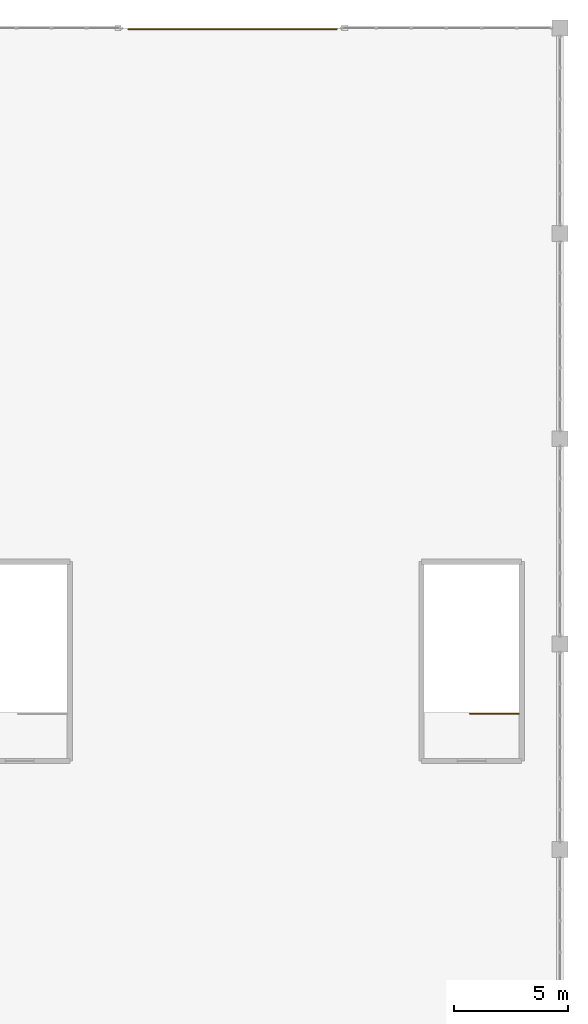
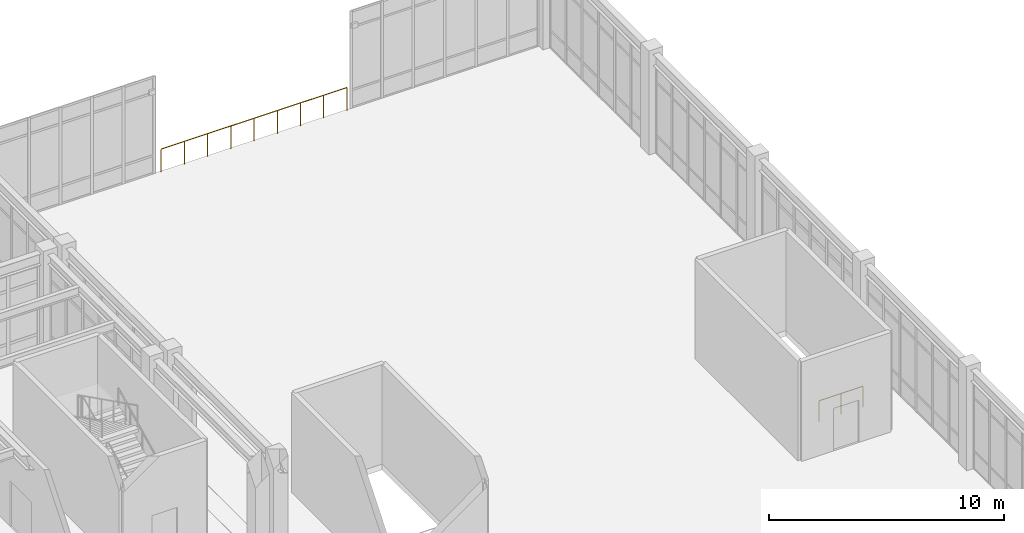
# One storey, part 80 of 80: 2 railings.
"""IFC4 building model written with IfcOpenShell, lengths in metres."""

from ifc_helpers import new_model, si_unit, direction, frame, origin, origin_2d, place, context, subcontext, project, spatial, circle, extrude, material, type_object, element, save


model = new_model("IFC4")

# Units and contexts
model_context = context("Model", 3, precision=1e-05, world=origin(), true_north=direction((0.0, 1.0)))
body_context = subcontext(model_context, "Body", "Model", "MODEL_VIEW")
ifc_project = project(units=[si_unit("LENGTHUNIT", "METRE"), si_unit("AREAUNIT", "SQUARE_METRE"), si_unit("VOLUMEUNIT", "CUBIC_METRE"), si_unit("PLANEANGLEUNIT", "RADIAN"), si_unit("MASSUNIT", "GRAM", prefix="KILO")], contexts=[model_context])

# Site, building, storey
site_placement = place(None, origin())
site = spatial("IfcSite", under=ifc_project, at=site_placement, CompositionType="ELEMENT")
building_placement = place(site_placement, origin())
building = spatial("IfcBuilding", under=site, at=building_placement, Name="Canglan Escarpment Cableway Terminal", CompositionType="ELEMENT")
storey_placement = place(building_placement, frame((0.0, 0.0, 19.199951171875)))
storey = spatial("IfcBuildingStorey", under=building, at=storey_placement, Name="L04", CompositionType="ELEMENT", Elevation=19.199951171875)

# Railings
ifc_material_1 = material(Name="Carved limestone and anodized bronze balustrade", Category="masonry")
railing_type_1 = type_object("IfcRailingType", Name="RL-EXT-BALUSTRADE-1200", PredefinedType="BALUSTRADE", material=ifc_material_1)
railing_1_placement = place(storey_placement, frame((147.489990234375, 123.949951171875, 0.0)))
element("IfcRailing", 1, at=railing_1_placement, inside=storey, type_object=railing_type_1, Name="Classical terrace balustrade guard GD-01 (L04)", PredefinedType="BALUSTRADE", context=body_context, shape_type="SweptSolid", body=[
    extrude(circle(Radius=0.02392578125, at=origin_2d()), frame((0.0, 0.0, 1.17578125), z_axis=(1.0, 0.0, 0.0), x_axis=(0.0, 1.0, 0.0)), (0.0, 0.0, 1.0), 9.1201171875),
    extrude(circle(Radius=0.02099609375, at=origin_2d()), origin(), (0.0, 0.0, 1.0), 1.15185546875),
    extrude(circle(Radius=0.02099609375, at=origin_2d()), frame((1.14013671875, 0.0, 0.0)), (0.0, 0.0, 1.0), 1.15185546875),
    extrude(circle(Radius=0.02099609375, at=origin_2d()), frame((2.280029296875, 0.0, 0.0)), (0.0, 0.0, 1.0), 1.15185546875),
    extrude(circle(Radius=0.02099609375, at=origin_2d()), frame((3.419921875, 0.0, 0.0)), (0.0, 0.0, 1.0), 1.15185546875),
    extrude(circle(Radius=0.02099609375, at=origin_2d()), frame((4.56005859375, 0.0, 0.0)), (0.0, 0.0, 1.0), 1.15185546875),
    extrude(circle(Radius=0.02099609375, at=origin_2d()), frame((5.7001953125, 0.0, 0.0)), (0.0, 0.0, 1.0), 1.15185546875),
    extrude(circle(Radius=0.02099609375, at=origin_2d()), frame((6.840087890625, 0.0, 0.0)), (0.0, 0.0, 1.0), 1.15185546875),
    extrude(circle(Radius=0.02099609375, at=origin_2d()), frame((7.97998046875, 0.0, 0.0)), (0.0, 0.0, 1.0), 1.15185546875),
    extrude(circle(Radius=0.02099609375, at=origin_2d()), frame((9.1201171875, 0.0, 0.0)), (0.0, 0.0, 1.0), 1.15185546875),
])
ifc_material_2 = material(Name="Powder-coated steel stair balustrade", Category="steel")
railing_type_2 = type_object("IfcRailingType", Name="RL-STR-GUARD-1100", PredefinedType="BALUSTRADE", material=ifc_material_2)
railing_2_placement = place(storey_placement, frame((164.60009765625, 93.949951171875, 0.0)))
element("IfcRailing", 2, at=railing_2_placement, inside=storey, type_object=railing_type_2, Name="L04 ST-17 top well guard 1", PredefinedType="BALUSTRADE", context=body_context, shape_type="SweptSolid", body=[
    extrude(circle(Radius=0.02392578125, at=origin_2d()), frame((0.0, 0.0, 1.076171875), z_axis=(-1.0, 0.0, 0.0), x_axis=(0.0, -1.0, 0.0)), (0.0, 0.0, 1.0), 2.150146484375),
    extrude(circle(Radius=0.02099609375, at=origin_2d()), origin(), (0.0, 0.0, 1.0), 1.052001953125),
    extrude(circle(Radius=0.02099609375, at=origin_2d()), frame((-1.0751953125, 0.0, 0.0)), (0.0, 0.0, 1.0), 1.052001953125),
    extrude(circle(Radius=0.02099609375, at=origin_2d()), frame((-2.150146484375, 0.0, 0.0)), (0.0, 0.0, 1.0), 1.052001953125),
])

save(model, "model.ifc")
